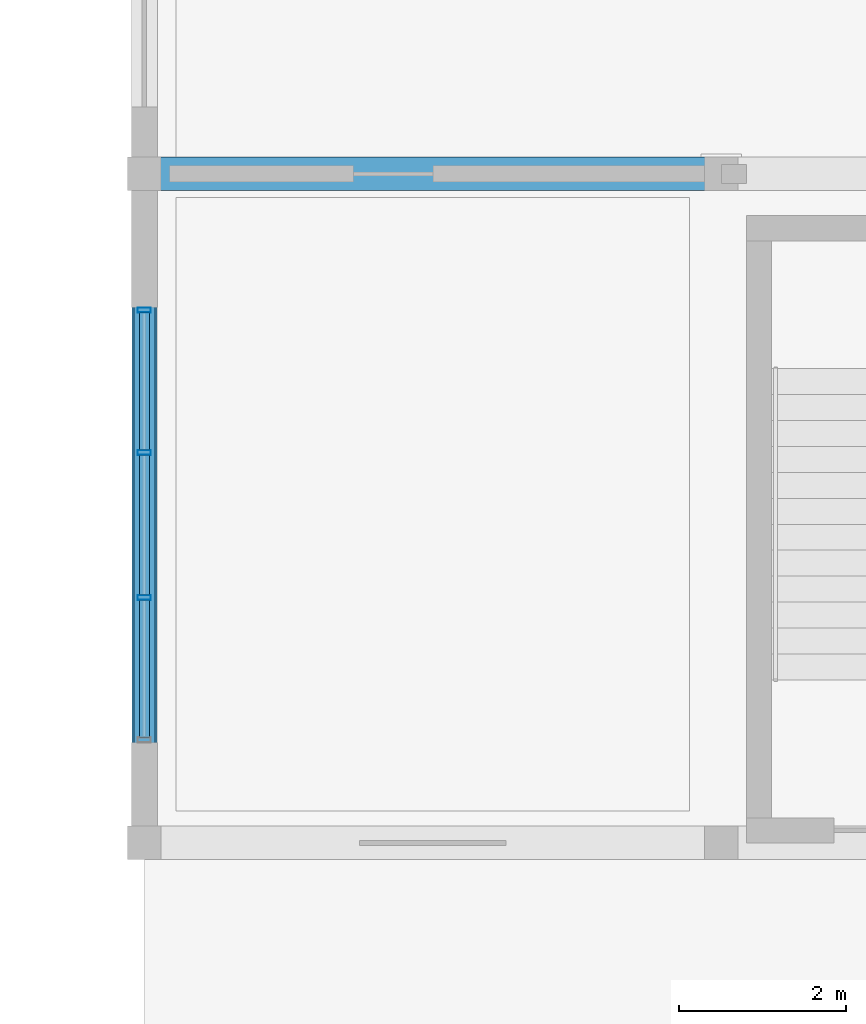
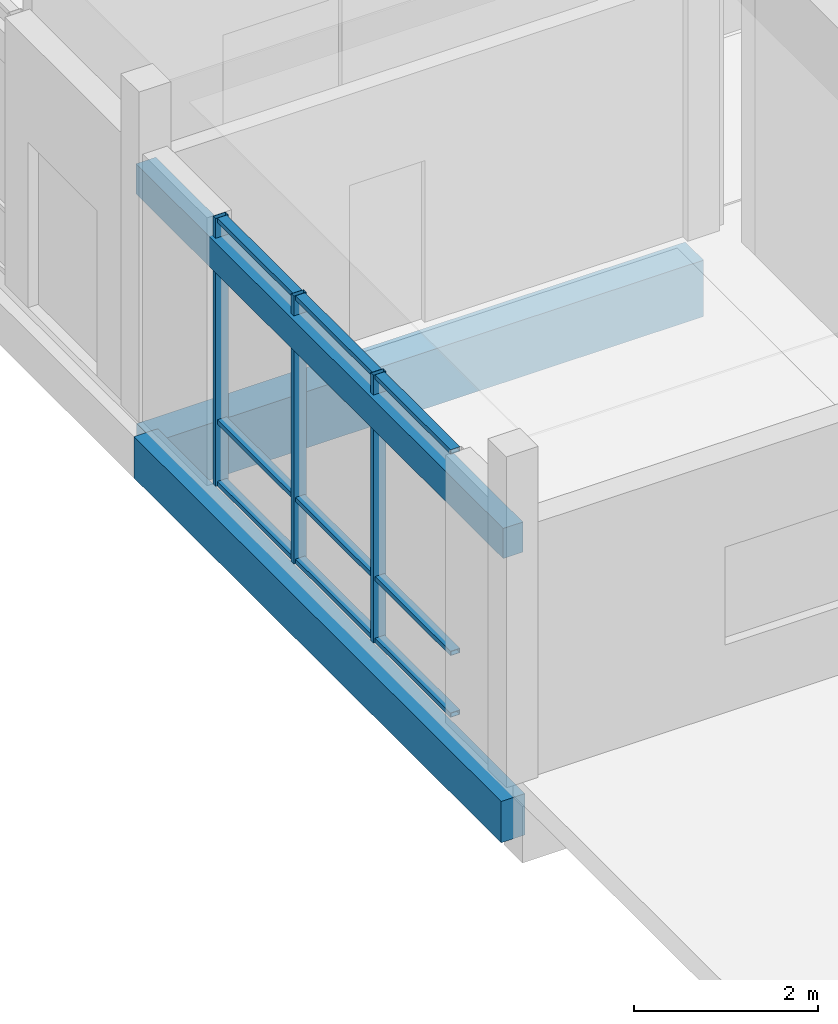
# One storey, part 46 of 233: 12 members, 3 beams, 1 element without a shape of its own.
"""IFC4 building model written with IfcOpenShell, lengths in metres."""

from ifc_helpers import new_model, si_unit, direction, frame, origin, origin_2d, place, context, subcontext, project, spatial, rectangle, hollow_rectangle, extrude, material, material_profile, profile_set, type_object, element, aggregate, save


model = new_model("IFC4")

# Units and contexts
model_context = context("Model", 3, precision=1e-05, world=origin(), true_north=direction((0.0, 1.0)))
body_context = subcontext(model_context, "Body", "Model", "MODEL_VIEW")
ifc_project = project(units=[si_unit("LENGTHUNIT", "METRE"), si_unit("AREAUNIT", "SQUARE_METRE"), si_unit("VOLUMEUNIT", "CUBIC_METRE"), si_unit("PLANEANGLEUNIT", "RADIAN"), si_unit("MASSUNIT", "GRAM", prefix="KILO")], contexts=[model_context])

# Site, building, storey
site_placement = place(None, origin())
site = spatial("IfcSite", under=ifc_project, at=site_placement, CompositionType="ELEMENT")
building_placement = place(site_placement, origin())
building = spatial("IfcBuilding", under=site, at=building_placement, Name="Zavelmont Quarter", CompositionType="ELEMENT")
storey_placement = place(building_placement, origin())
storey = spatial("IfcBuildingStorey", under=building, at=storey_placement, Name="L00", CompositionType="ELEMENT", Elevation=0.0)

# Beams
ifc_material_1 = material(Name="Concrete C35/45", Category="concrete")
ifc_material_profile_1 = material_profile(ifc_material_1, rectangle(XDim=0.300048828125, YDim=0.550048828125, at=origin_2d()), Name="RC300X550")
ifc_profile_set_1 = profile_set([ifc_material_profile_1], Name="Concrete C35/45")
beam_type_1 = type_object("IfcBeamType", Name="BM02", PredefinedType="SPANDREL", material=ifc_profile_set_1)
beam_1_placement = place(storey_placement, frame((0.0, 30.0, -0.594970703125), z_axis=(0.0, 1.0, 0.0), x_axis=(-1.0, 0.0, 0.0)))
element("IfcBeam", 1, at=beam_1_placement, inside=storey, type_object=beam_type_1, Name="L00 beam BM02 1/F to 1/G", PredefinedType="SPANDREL", context=body_context, shape_type="SweptSolid", body=[
    extrude(rectangle(XDim=0.300048828125, YDim=0.550048828125, at=origin_2d()), origin(), (0.0, 0.0, 1.0), 8.0),
])
ifc_material_profile_2 = material_profile(ifc_material_1, rectangle(XDim=0.25, YDim=0.39990234375, at=origin_2d()), Name="RC250X400")
ifc_profile_set_2 = profile_set([ifc_material_profile_2], Name="Concrete C35/45")
beam_type_2 = type_object("IfcBeamType", Name="BM04", PredefinedType="LINTEL", material=ifc_profile_set_2)
beam_2_placement = place(storey_placement, frame((0.0, 30.0, 3.10009765625), z_axis=(0.0, 1.0, 0.0), x_axis=(-1.0, 0.0, 0.0)))
element("IfcBeam", 2, at=beam_2_placement, inside=storey, type_object=beam_type_2, Name="L00 beam BM04 1/F to 1/G", PredefinedType="LINTEL", context=body_context, shape_type="SweptSolid", body=[
    extrude(rectangle(XDim=0.25, YDim=0.39990234375, at=origin_2d()), origin(), (0.0, 0.0, 1.0), 8.0),
])
ifc_material_2 = material(Name="Concrete C40/50", Category="concrete")
ifc_material_profile_3 = material_profile(ifc_material_2, rectangle(XDim=0.39990234375, YDim=0.75, at=origin_2d()), Name="RC400X750")
ifc_profile_set_3 = profile_set([ifc_material_profile_3], Name="Concrete C40/50")
beam_type_3 = type_object("IfcBeamType", Name="BM05", PredefinedType="BEAM", material=ifc_profile_set_3)
beam_3_placement = place(storey_placement, frame((0.0, 38.0, -0.695068359375), z_axis=(1.0, 0.0, 0.0), x_axis=(0.0, 1.0, 0.0)))
element("IfcBeam", 3, at=beam_3_placement, inside=storey, type_object=beam_type_3, Name="L00 beam BM05 1/G to 2/G", PredefinedType="BEAM", context=body_context, shape_type="SweptSolid", body=[
    extrude(rectangle(XDim=0.39990234375, YDim=0.75, at=origin_2d()), origin(), (0.0, 0.0, 1.0), 6.89990234375),
])

# Curtain wall, members
ifc_material_3 = material(Name="Thermally broken aluminium and double low-E safety glazing", Category="aluminium")
curtain_wall_type = type_object("IfcCurtainWallType", Name="CW-520X356", PredefinedType="NOTDEFINED", material=ifc_material_3)
curtain_wall_placement = place(storey_placement, origin())
curtain_wall = element("IfcCurtainWall", 4, at=curtain_wall_placement, inside=storey, type_object=curtain_wall_type, Name="L00 unitised curtain wall CW-520X356", PredefinedType="NOTDEFINED")
ifc_material_4 = material(Name="Powder-coated aluminium EN AW-6063-T6", Category="aluminium")
ifc_material_profile_4 = material_profile(ifc_material_4, hollow_rectangle(XDim=0.06005859375, YDim=0.159912109375, WallThickness=0.00390625, at=origin_2d()), Name="CWM60X160")
ifc_profile_set_4 = profile_set([ifc_material_profile_4], Name="Powder-coated aluminium EN AW-6063-T6")
member_type_1 = type_object("IfcMemberType", Name="CWM01", PredefinedType="MULLION", material=ifc_profile_set_4)
member_1_placement = place(storey_placement, frame((0.0, 32.933349609375, 0.0), z_axis=(0.0, 0.0, 1.0), x_axis=(0.0, 1.0, 0.0)))
member_1 = element("IfcMember", 5, at=member_1_placement, type_object=member_type_1, Name="CW-520X356 mullion 2", PredefinedType="MULLION", context=body_context, shape_type="SweptSolid", body=[
    extrude(hollow_rectangle(XDim=0.06005859375, YDim=0.159912109375, WallThickness=0.00390625, at=origin_2d()), origin(), (0.0, 0.0, 1.0), 3.56005859375),
])
member_2_placement = place(storey_placement, frame((0.0, 34.666748046875, 0.0), z_axis=(0.0, 0.0, 1.0), x_axis=(0.0, 1.0, 0.0)))
member_2 = element("IfcMember", 6, at=member_2_placement, type_object=member_type_1, Name="CW-520X356 mullion 3", PredefinedType="MULLION", context=body_context, shape_type="SweptSolid", body=[
    extrude(hollow_rectangle(XDim=0.06005859375, YDim=0.159912109375, WallThickness=0.00390625, at=origin_2d()), origin(), (0.0, 0.0, 1.0), 3.56005859375),
])
member_3_placement = place(storey_placement, frame((0.0, 36.3701171875, 0.0), z_axis=(0.0, 0.0, 1.0), x_axis=(0.0, 1.0, 0.0)))
member_3 = element("IfcMember", 7, at=member_3_placement, type_object=member_type_1, Name="CW-520X356 mullion 4", PredefinedType="MULLION", context=body_context, shape_type="SweptSolid", body=[
    extrude(hollow_rectangle(XDim=0.06005859375, YDim=0.159912109375, WallThickness=0.00390625, at=origin_2d()), origin(), (0.0, 0.0, 1.0), 3.56005859375),
])
ifc_material_profile_5 = material_profile(ifc_material_4, hollow_rectangle(XDim=0.1201171875, YDim=0.06005859375, WallThickness=0.00390625, at=origin_2d()), Name="CWT60X120")
ifc_profile_set_5 = profile_set([ifc_material_profile_5], Name="Powder-coated aluminium EN AW-6063-T6")
member_type_2 = type_object("IfcMemberType", Name="CWT01", PredefinedType="NOTDEFINED", material=ifc_profile_set_5)
member_4_placement = place(storey_placement, frame((0.0, 31.260009765625, 0.030029296875), z_axis=(0.0, 1.0, 0.0), x_axis=(-1.0, 0.0, 0.0)))
member_4 = element("IfcMember", 8, at=member_4_placement, type_object=member_type_2, Name="CW-520X356 transom 1.1", ObjectType="TRANSOM", PredefinedType="USERDEFINED", context=body_context, shape_type="SweptSolid", body=[
    extrude(hollow_rectangle(XDim=0.1201171875, YDim=0.06005859375, WallThickness=0.00390625, at=origin_2d()), origin(), (0.0, 0.0, 1.0), 1.643310546875),
])
member_5_placement = place(storey_placement, frame((0.0, 31.260009765625, 0.85009765625), z_axis=(0.0, 1.0, 0.0), x_axis=(-1.0, 0.0, 0.0)))
member_5 = element("IfcMember", 9, at=member_5_placement, type_object=member_type_2, Name="CW-520X356 transom 1.2", ObjectType="TRANSOM", PredefinedType="USERDEFINED", context=body_context, shape_type="SweptSolid", body=[
    extrude(hollow_rectangle(XDim=0.1201171875, YDim=0.06005859375, WallThickness=0.00390625, at=origin_2d()), origin(), (0.0, 0.0, 1.0), 1.643310546875),
])
member_6_placement = place(storey_placement, frame((0.0, 31.260009765625, 3.530029296875), z_axis=(0.0, 1.0, 0.0), x_axis=(-1.0, 0.0, 0.0)))
member_6 = element("IfcMember", 10, at=member_6_placement, type_object=member_type_2, Name="CW-520X356 transom 1.3", ObjectType="TRANSOM", PredefinedType="USERDEFINED", context=body_context, shape_type="SweptSolid", body=[
    extrude(hollow_rectangle(XDim=0.1201171875, YDim=0.06005859375, WallThickness=0.00390625, at=origin_2d()), origin(), (0.0, 0.0, 1.0), 1.643310546875),
])
member_7_placement = place(storey_placement, frame((0.0, 32.96337890625, 0.030029296875), z_axis=(0.0, 1.0, 0.0), x_axis=(-1.0, 0.0, 0.0)))
member_7 = element("IfcMember", 11, at=member_7_placement, type_object=member_type_2, Name="CW-520X356 transom 2.1", ObjectType="TRANSOM", PredefinedType="USERDEFINED", context=body_context, shape_type="SweptSolid", body=[
    extrude(hollow_rectangle(XDim=0.1201171875, YDim=0.06005859375, WallThickness=0.00390625, at=origin_2d()), origin(), (0.0, 0.0, 1.0), 1.67333984375),
])
member_8_placement = place(storey_placement, frame((0.0, 32.96337890625, 0.85009765625), z_axis=(0.0, 1.0, 0.0), x_axis=(-1.0, 0.0, 0.0)))
member_8 = element("IfcMember", 12, at=member_8_placement, type_object=member_type_2, Name="CW-520X356 transom 2.2", ObjectType="TRANSOM", PredefinedType="USERDEFINED", context=body_context, shape_type="SweptSolid", body=[
    extrude(hollow_rectangle(XDim=0.1201171875, YDim=0.06005859375, WallThickness=0.00390625, at=origin_2d()), origin(), (0.0, 0.0, 1.0), 1.67333984375),
])
member_9_placement = place(storey_placement, frame((0.0, 32.96337890625, 3.530029296875), z_axis=(0.0, 1.0, 0.0), x_axis=(-1.0, 0.0, 0.0)))
member_9 = element("IfcMember", 13, at=member_9_placement, type_object=member_type_2, Name="CW-520X356 transom 2.3", ObjectType="TRANSOM", PredefinedType="USERDEFINED", context=body_context, shape_type="SweptSolid", body=[
    extrude(hollow_rectangle(XDim=0.1201171875, YDim=0.06005859375, WallThickness=0.00390625, at=origin_2d()), origin(), (0.0, 0.0, 1.0), 1.67333984375),
])
member_10_placement = place(storey_placement, frame((0.0, 34.69677734375, 0.030029296875), z_axis=(0.0, 1.0, 0.0), x_axis=(-1.0, 0.0, 0.0)))
member_10 = element("IfcMember", 14, at=member_10_placement, type_object=member_type_2, Name="CW-520X356 transom 3.1", ObjectType="TRANSOM", PredefinedType="USERDEFINED", context=body_context, shape_type="SweptSolid", body=[
    extrude(hollow_rectangle(XDim=0.1201171875, YDim=0.06005859375, WallThickness=0.00390625, at=origin_2d()), origin(), (0.0, 0.0, 1.0), 1.643310546875),
])
member_11_placement = place(storey_placement, frame((0.0, 34.69677734375, 0.85009765625), z_axis=(0.0, 1.0, 0.0), x_axis=(-1.0, 0.0, 0.0)))
member_11 = element("IfcMember", 15, at=member_11_placement, type_object=member_type_2, Name="CW-520X356 transom 3.2", ObjectType="TRANSOM", PredefinedType="USERDEFINED", context=body_context, shape_type="SweptSolid", body=[
    extrude(hollow_rectangle(XDim=0.1201171875, YDim=0.06005859375, WallThickness=0.00390625, at=origin_2d()), origin(), (0.0, 0.0, 1.0), 1.643310546875),
])
member_12_placement = place(storey_placement, frame((0.0, 34.69677734375, 3.530029296875), z_axis=(0.0, 1.0, 0.0), x_axis=(-1.0, 0.0, 0.0)))
member_12 = element("IfcMember", 16, at=member_12_placement, type_object=member_type_2, Name="CW-520X356 transom 3.3", ObjectType="TRANSOM", PredefinedType="USERDEFINED", context=body_context, shape_type="SweptSolid", body=[
    extrude(hollow_rectangle(XDim=0.1201171875, YDim=0.06005859375, WallThickness=0.00390625, at=origin_2d()), origin(), (0.0, 0.0, 1.0), 1.643310546875),
])
aggregate(curtain_wall, [member_1, member_2, member_3, member_4, member_5, member_6, member_7, member_8, member_9, member_10, member_11, member_12])

save(model, "model.ifc")
